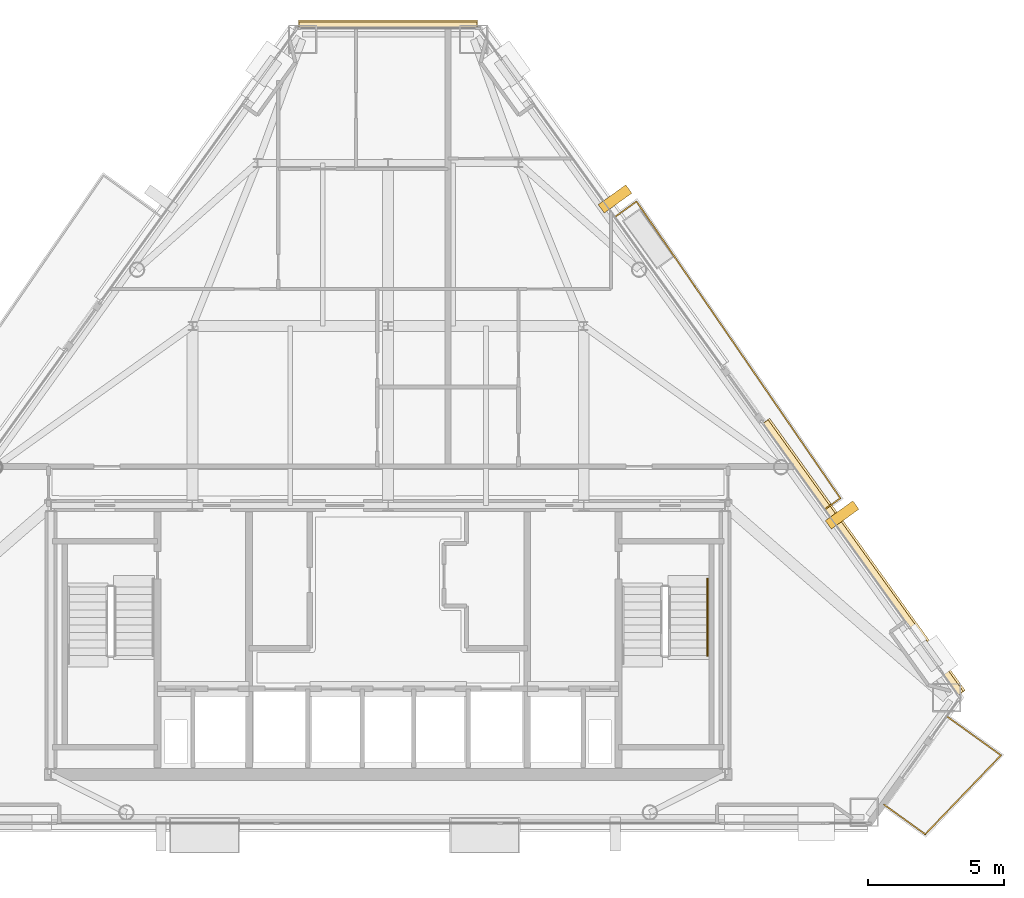
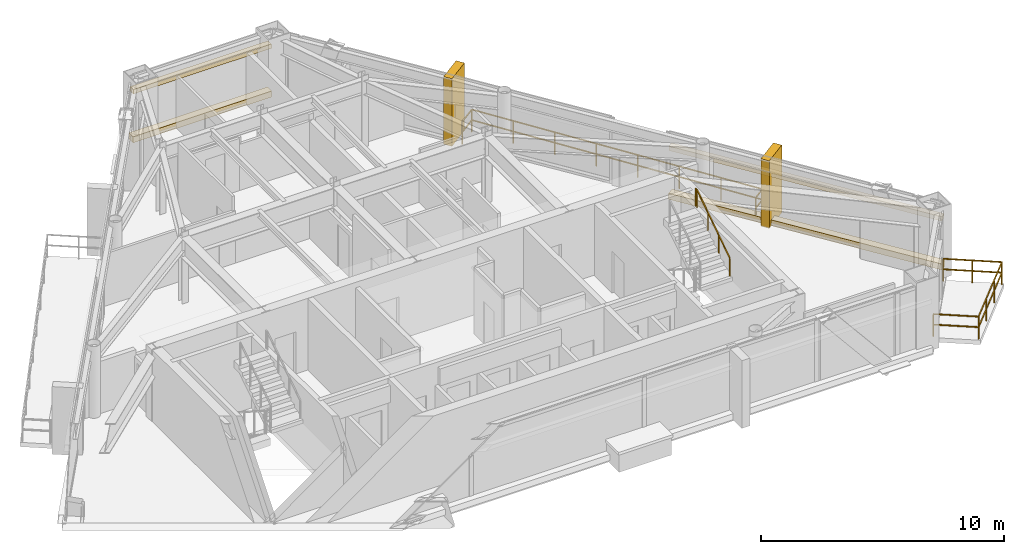
# One storey, part 11 of 11: 6 coverings, 3 railings.
"""IFC4 building model written with IfcOpenShell, lengths in metres."""

from ifc_helpers import new_model, si_unit, direction, frame, origin, origin_2d, place, context, subcontext, project, spatial, rectangle, extrude, material, layer, layer_set, type_object, element, save


model = new_model("IFC4")

# Units and contexts
model_context = context("Model", 3, precision=1e-05, world=origin(), true_north=direction((0.0, 1.0)))
body_context = subcontext(model_context, "Body", "Model", "MODEL_VIEW")
ifc_project = project(units=[si_unit("LENGTHUNIT", "METRE"), si_unit("AREAUNIT", "SQUARE_METRE"), si_unit("VOLUMEUNIT", "CUBIC_METRE"), si_unit("PLANEANGLEUNIT", "RADIAN"), si_unit("MASSUNIT", "GRAM", prefix="KILO")], contexts=[model_context])

# Site, building, storey
site_placement = place(None, origin())
site = spatial("IfcSite", under=ifc_project, at=site_placement, CompositionType="ELEMENT")
building_placement = place(site_placement, origin())
building = spatial("IfcBuilding", under=site, at=building_placement, Name="Talgorran Terracotta Tower", CompositionType="ELEMENT")
storey_placement = place(building_placement, frame((0.0, 0.0, 207.300048828125)))
storey = spatial("IfcBuildingStorey", under=building, at=storey_placement, Name="L54", CompositionType="ELEMENT", Elevation=207.300048828125)

# Coverings
ifc_material_1 = material(Name="Kiln-Fired Terracotta Ochre Ceramic", Category="masonry")
ifc_layer_1 = layer(ifc_material_1, 0.179931640625, Name="COV_BAGUETTE_TERRACOTTA_SCREEN")
ifc_layer_set_1 = layer_set([ifc_layer_1], Name="Kiln-Fired Terracotta Ochre Ceramic")
covering_type_1 = type_object("IfcCoveringType", Name="COV_BAGUETTE_TERRACOTTA_SCREEN", PredefinedType="CLADDING", material=ifc_layer_set_1)
covering_1_placement = place(storey_placement, frame((17.466552734375, -6.1240234375, 2.41015625), z_axis=(0.0, 0.0, 1.0), x_axis=(-0.583555384799, 0.812073342053, 0.0)))
element("IfcCovering", 1, at=covering_1_placement, inside=storey, type_object=covering_type_1, Name="L54 Terracotta Baguette Solar Screen Assembly F40", PredefinedType="CLADDING", context=body_context, shape_type="SweptSolid", body=[
    extrude(rectangle(XDim=12.30859375, YDim=0.260009765625, at=origin_2d()), origin(), (0.0, 0.0, 1.0), 0.219970703125),
])
covering_2_placement = place(storey_placement, frame((0.0, 13.44970703125, 2.41015625), z_axis=(0.0, 0.0, 1.0), x_axis=(-1.0, 0.0, 0.0)))
element("IfcCovering", 2, at=covering_2_placement, inside=storey, type_object=covering_type_1, Name="L54 Terracotta Baguette Solar Screen Assembly F4", PredefinedType="CLADDING", context=body_context, shape_type="SweptSolid", body=[
    extrude(rectangle(XDim=6.5595703125, YDim=0.260009765625, at=origin_2d()), origin(), (0.0, 0.0, 1.0), 0.219970703125),
])
ifc_material_2 = material(Name="Honed Limestone Cladding", Category="masonry")
ifc_layer_2 = layer(ifc_material_2, 0.094970703125, Name="COV_PORTAL_LIME")
ifc_layer_set_2 = layer_set([ifc_layer_2], Name="Honed Limestone Cladding")
covering_type_2 = type_object("IfcCoveringType", Name="COV_PORTAL_LIME", PredefinedType="CLADDING", material=ifc_layer_set_2)
covering_3_placement = place(storey_placement, frame((17.4990234375, -6.100830078125, -0.0400390625), z_axis=(0.0, 0.0, 1.0), x_axis=(-0.583555384799, 0.812073342053, 0.0)))
element("IfcCovering", 3, at=covering_3_placement, inside=storey, type_object=covering_type_2, Name="L54 Striped Postmodern Portal Cladding Band F40", PredefinedType="CLADDING", context=body_context, shape_type="SweptSolid", body=[
    extrude(rectangle(XDim=12.32861328125, YDim=0.340087890625, at=origin_2d()), origin(), (0.0, 0.0, 1.0), 0.300048828125),
])
covering_4_placement = place(storey_placement, frame((0.0, 13.489501953125, -0.0400390625), z_axis=(0.0, 0.0, 1.0), x_axis=(-1.0, 0.0, 0.0)))
element("IfcCovering", 4, at=covering_4_placement, inside=storey, type_object=covering_type_2, Name="L54 Striped Postmodern Portal Cladding Band F4", PredefinedType="CLADDING", context=body_context, shape_type="SweptSolid", body=[
    extrude(rectangle(XDim=6.57958984375, YDim=0.340087890625, at=origin_2d()), origin(), (0.0, 0.0, 1.0), 0.300048828125),
])
covering_5_placement = place(storey_placement, frame((8.349609375, 7.0771484375, -0.050048828125), z_axis=(0.0, 0.0, 1.0), x_axis=(-0.583555384799, 0.812073342053, 0.0)))
element("IfcCovering", 5, at=covering_5_placement, inside=storey, type_object=covering_type_2, Name="L54 White Striped Portal Fin F3-2", PredefinedType="CLADDING", context=body_context, shape_type="SweptSolid", body=[
    extrude(rectangle(XDim=0.3798828125, YDim=1.25, at=origin_2d()), origin(), (0.0, 0.0, 1.0), 3.39501953125),
])
ifc_material_3 = material(Name="Kiln-Fired Terracotta Cladding", Category="masonry")
ifc_layer_3 = layer(ifc_material_3, 0.090087890625, Name="COV_PORTAL_TERRA")
ifc_layer_set_3 = layer_set([ifc_layer_3], Name="Kiln-Fired Terracotta Cladding")
covering_type_3 = type_object("IfcCoveringType", Name="COV_PORTAL_TERRA", PredefinedType="CLADDING", material=ifc_layer_set_3)
covering_6_placement = place(storey_placement, frame((16.705078125, -4.55029296875, -0.050048828125), z_axis=(0.0, 0.0, 1.0), x_axis=(-0.583555384799, 0.812073342053, 0.0)))
element("IfcCovering", 6, at=covering_6_placement, inside=storey, type_object=covering_type_3, Name="L54 Terracotta Striped Portal Fin F3-1", PredefinedType="CLADDING", context=body_context, shape_type="SweptSolid", body=[
    extrude(rectangle(XDim=0.3798828125, YDim=1.25, at=origin_2d()), origin(), (0.0, 0.0, 1.0), 3.39501953125),
])

# Railings
ifc_material_4 = material(Name="Laminated Glass and Stainless Steel 316", Category="steel")
railing_type_1 = type_object("IfcRailingType", Name="RL_BALCONY_1150", PredefinedType="BALUSTRADE", material=ifc_material_4)
railing_1_placement = place(storey_placement, frame((16.0830078125, -4.3359375, 0.0)))
element("IfcRailing", 7, at=railing_1_placement, inside=storey, type_object=railing_type_1, Name="RL-L54-BAL-BAL-NE", PredefinedType="BALUSTRADE", context=body_context, shape_type="SweptSolid", body=[
    extrude(rectangle(XDim=0.048095703125, YDim=0.048095703125, at=origin_2d()), frame((0.0, 0.0, 1.1259765625), z_axis=(0.812068163306, 0.583562591454, 0.0), x_axis=(-0.583562591454, 0.812068163306, 0.0)), (0.0, 0.0, 1.0), 0.684814453125),
    extrude(rectangle(XDim=0.048095703125, YDim=0.048095703125, at=origin_2d()), frame((0.0, 0.0, 0.597900390625), z_axis=(0.812068163306, 0.583562591454, 0.0), x_axis=(-0.583562591454, 0.812068163306, 0.0)), (0.0, 0.0, 1.0), 0.684814453125),
    extrude(rectangle(XDim=0.048095703125, YDim=0.048095703125, at=origin_2d()), frame((0.55615234375, 0.399658203125, 1.1259765625), z_axis=(-0.566075859239, 0.82435315344, 0.0), x_axis=(-0.82435315344, -0.566075859239, 0.0)), (0.0, 0.0, 1.0), 13.2470703125),
    extrude(rectangle(XDim=0.048095703125, YDim=0.048095703125, at=origin_2d()), frame((0.55615234375, 0.399658203125, 0.597900390625), z_axis=(-0.566075859239, 0.82435315344, 0.0), x_axis=(-0.82435315344, -0.566075859239, 0.0)), (0.0, 0.0, 1.0), 13.2470703125),
    extrude(rectangle(XDim=0.048095703125, YDim=0.048095703125, at=origin_2d()), frame((-6.942626953125, 11.31982421875, 1.1259765625), z_axis=(-0.812093826282, -0.583526877971, 0.0), x_axis=(0.583526877971, -0.812093826282, 0.0)), (0.0, 0.0, 1.0), 0.9677734375),
    extrude(rectangle(XDim=0.048095703125, YDim=0.048095703125, at=origin_2d()), frame((-6.942626953125, 11.31982421875, 0.597900390625), z_axis=(-0.812093826282, -0.583526877971, 0.0), x_axis=(0.583526877971, -0.812093826282, 0.0)), (0.0, 0.0, 1.0), 0.9677734375),
    extrude(rectangle(XDim=0.0419921875, YDim=0.0419921875, at=origin_2d()), origin(), (0.0, 0.0, 1.0), 1.101806640625),
    extrude(rectangle(XDim=0.0419921875, YDim=0.0419921875, at=origin_2d()), frame((0.55615234375, 0.399658203125, 0.0)), (0.0, 0.0, 1.0), 1.101806640625),
    extrude(rectangle(XDim=0.0419921875, YDim=0.0419921875, at=origin_2d()), frame((-0.51513671875, 1.959716796875, 0.0)), (0.0, 0.0, 1.0), 1.101806640625),
    extrude(rectangle(XDim=0.0419921875, YDim=0.0419921875, at=origin_2d()), frame((-1.58642578125, 3.519775390625, 0.0)), (0.0, 0.0, 1.0), 1.101806640625),
    extrude(rectangle(XDim=0.0419921875, YDim=0.0419921875, at=origin_2d()), frame((-2.65771484375, 5.079833984375, 0.0)), (0.0, 0.0, 1.0), 1.101806640625),
    extrude(rectangle(XDim=0.0419921875, YDim=0.0419921875, at=origin_2d()), frame((-3.728759765625, 6.6396484375, 0.0)), (0.0, 0.0, 1.0), 1.101806640625),
    extrude(rectangle(XDim=0.0419921875, YDim=0.0419921875, at=origin_2d()), frame((-4.800048828125, 8.19970703125, 0.0)), (0.0, 0.0, 1.0), 1.101806640625),
    extrude(rectangle(XDim=0.0419921875, YDim=0.0419921875, at=origin_2d()), frame((-5.871337890625, 9.759765625, 0.0)), (0.0, 0.0, 1.0), 1.101806640625),
    extrude(rectangle(XDim=0.0419921875, YDim=0.0419921875, at=origin_2d()), frame((-6.942626953125, 11.31982421875, 0.0)), (0.0, 0.0, 1.0), 1.101806640625),
    extrude(rectangle(XDim=0.0419921875, YDim=0.0419921875, at=origin_2d()), frame((-7.728515625, 10.755126953125, 0.0)), (0.0, 0.0, 1.0), 1.101806640625),
])
railing_2_placement = place(storey_placement, frame((18.239013671875, -15.203125, 0.0)))
element("IfcRailing", 8, at=railing_2_placement, inside=storey, type_object=railing_type_1, Name="RL-L54-BAL-BAL-SE", PredefinedType="BALUSTRADE", context=body_context, shape_type="SweptSolid", body=[
    extrude(rectangle(XDim=0.048095703125, YDim=0.048095703125, at=origin_2d()), frame((0.0, 0.0, 1.1259765625), z_axis=(0.812096237969, -0.583523521614, 0.0), x_axis=(0.583523521614, 0.812096237969, 0.0)), (0.0, 0.0, 1.0), 1.877685546875),
    extrude(rectangle(XDim=0.048095703125, YDim=0.048095703125, at=origin_2d()), frame((0.0, 0.0, 0.597900390625), z_axis=(0.812096237969, -0.583523521614, 0.0), x_axis=(0.583523521614, 0.812096237969, 0.0)), (0.0, 0.0, 1.0), 1.877685546875),
    extrude(rectangle(XDim=0.048095703125, YDim=0.048095703125, at=origin_2d()), frame((1.52490234375, -1.095703125, 1.1259765625), z_axis=(0.691843447497, 0.722047535939, 0.0), x_axis=(-0.722047535939, 0.691843447497, 0.0)), (0.0, 0.0, 1.0), 4.025390625),
    extrude(rectangle(XDim=0.048095703125, YDim=0.048095703125, at=origin_2d()), frame((1.52490234375, -1.095703125, 0.597900390625), z_axis=(0.691843447497, 0.722047535939, 0.0), x_axis=(-0.722047535939, 0.691843447497, 0.0)), (0.0, 0.0, 1.0), 4.025390625),
    extrude(rectangle(XDim=0.048095703125, YDim=0.048095703125, at=origin_2d()), frame((4.309814453125, 1.810791015625, 1.1259765625), z_axis=(-0.81207604152, 0.583551628212, 0.0), x_axis=(-0.583551628212, -0.81207604152, 0.0)), (0.0, 0.0, 1.0), 2.443359375),
    extrude(rectangle(XDim=0.048095703125, YDim=0.048095703125, at=origin_2d()), frame((4.309814453125, 1.810791015625, 0.597900390625), z_axis=(-0.81207604152, 0.583551628212, 0.0), x_axis=(-0.583551628212, -0.81207604152, 0.0)), (0.0, 0.0, 1.0), 2.443359375),
    extrude(rectangle(XDim=0.0419921875, YDim=0.0419921875, at=origin_2d()), origin(), (0.0, 0.0, 1.0), 1.101806640625),
    extrude(rectangle(XDim=0.0419921875, YDim=0.0419921875, at=origin_2d()), frame((1.52490234375, -1.095703125, 0.0)), (0.0, 0.0, 1.0), 1.101806640625),
    extrude(rectangle(XDim=0.0419921875, YDim=0.0419921875, at=origin_2d()), frame((2.453125, -0.126953125, 0.0)), (0.0, 0.0, 1.0), 1.101806640625),
    extrude(rectangle(XDim=0.0419921875, YDim=0.0419921875, at=origin_2d()), frame((3.381591796875, 0.842041015625, 0.0)), (0.0, 0.0, 1.0), 1.101806640625),
    extrude(rectangle(XDim=0.0419921875, YDim=0.0419921875, at=origin_2d()), frame((4.309814453125, 1.810791015625, 0.0)), (0.0, 0.0, 1.0), 1.101806640625),
    extrude(rectangle(XDim=0.0419921875, YDim=0.0419921875, at=origin_2d()), frame((3.31787109375, 2.523681640625, 0.0)), (0.0, 0.0, 1.0), 1.101806640625),
    extrude(rectangle(XDim=0.0419921875, YDim=0.0419921875, at=origin_2d()), frame((2.32568359375, 3.236572265625, 0.0)), (0.0, 0.0, 1.0), 1.101806640625),
])
ifc_material_5 = material(Name="Steel S355 (300PLUS)", Category="steel")
railing_type_2 = type_object("IfcRailingType", Name="RL_HANDRAIL_920", PredefinedType="HANDRAIL", material=ifc_material_5)
railing_3_placement = place(storey_placement, frame((11.75, -9.719970703125, 1.97998046875)))
element("IfcRailing", 9, at=railing_3_placement, inside=storey, type_object=railing_type_2, Name="L54 ST-02 stair handrail 2", PredefinedType="HANDRAIL", context=body_context, shape_type="SweptSolid", body=[
    extrude(rectangle(XDim=0.048095703125, YDim=0.048095703125, at=origin_2d()), frame((0.0, 0.0, 0.89599609375), z_axis=(0.0, 0.832038719335, 0.554717558338), x_axis=(-1.0, 0.0, 0.0)), (0.0, 0.0, 1.0), 3.244873046875),
    extrude(rectangle(XDim=0.048095703125, YDim=0.048095703125, at=origin_2d()), frame((0.0, 2.699951171875, 2.69580078125), z_axis=(0.0, 1.0, 0.0), x_axis=(-1.0, 0.0, 0.0)), (0.0, 0.0, 1.0), 0.1201171875),
    extrude(rectangle(XDim=0.0419921875, YDim=0.0419921875, at=origin_2d()), origin(), (0.0, 0.0, 1.0), 0.871826171875),
    extrude(rectangle(XDim=0.0419921875, YDim=0.0419921875, at=origin_2d()), frame((0.0, 0.89990234375, 0.60009765625)), (0.0, 0.0, 1.0), 0.871826171875),
    extrude(rectangle(XDim=0.0419921875, YDim=0.0419921875, at=origin_2d()), frame((0.0, 1.800048828125, 1.199951171875)), (0.0, 0.0, 1.0), 0.871826171875),
    extrude(rectangle(XDim=0.0419921875, YDim=0.0419921875, at=origin_2d()), frame((0.0, 2.699951171875, 1.800048828125)), (0.0, 0.0, 1.0), 0.871826171875),
    extrude(rectangle(XDim=0.0419921875, YDim=0.0419921875, at=origin_2d()), frame((0.0, 2.820068359375, 1.800048828125)), (0.0, 0.0, 1.0), 0.871826171875),
])

save(model, "model.ifc")
